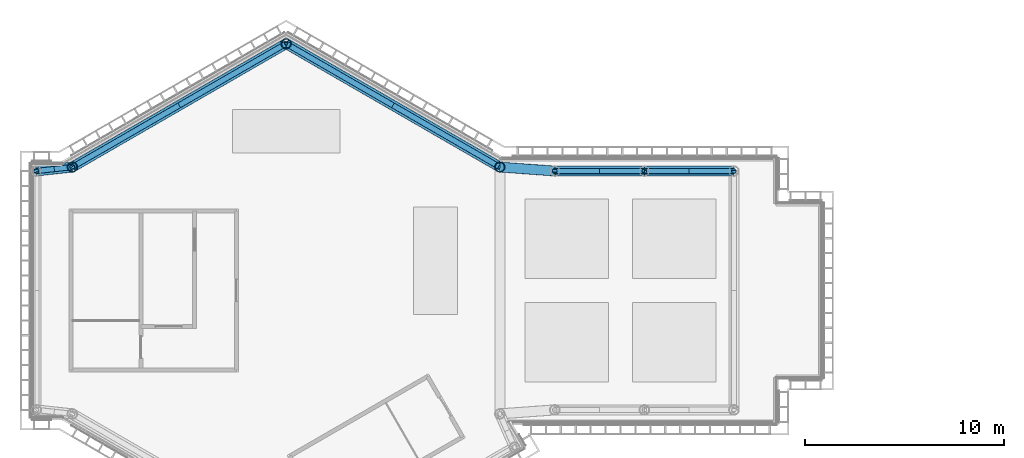
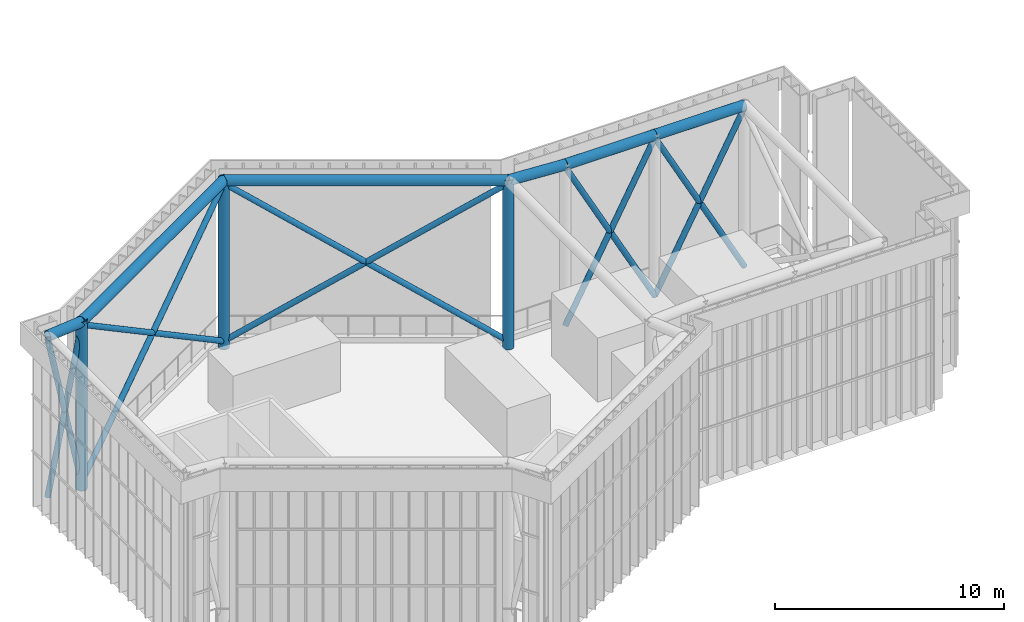
# One storey, part 5 of 17: 13 members, 6 beams.
"""IFC4 building model written with IfcOpenShell, lengths in metres."""

from ifc_helpers import new_model, si_unit, direction, frame, origin, origin_2d, place, context, subcontext, project, spatial, hollow_circle, extrude, material, material_profile, profile_set, type_object, element, save


model = new_model("IFC4")

# Units and contexts
model_context = context("Model", 3, precision=1e-05, world=origin(), true_north=direction((0.0, 1.0)))
body_context = subcontext(model_context, "Body", "Model", "MODEL_VIEW")
ifc_project = project(units=[si_unit("LENGTHUNIT", "METRE"), si_unit("AREAUNIT", "SQUARE_METRE"), si_unit("VOLUMEUNIT", "CUBIC_METRE"), si_unit("PLANEANGLEUNIT", "RADIAN"), si_unit("MASSUNIT", "GRAM", prefix="KILO")], contexts=[model_context])

# Site, building, storey
site_placement = place(None, origin())
site = spatial("IfcSite", under=ifc_project, at=site_placement, CompositionType="ELEMENT")
building_placement = place(site_placement, origin())
building = spatial("IfcBuilding", under=site, at=building_placement, Name="Upepo Twin Towers", CompositionType="ELEMENT")
storey_placement = place(building_placement, frame((0.0, 0.0, 296.5)))
storey = spatial("IfcBuildingStorey", under=building, at=storey_placement, Name="RF", CompositionType="ELEMENT", Elevation=296.5)

# Members
ifc_material_1 = material(Name="Steel S355", Category="steel")
ifc_material_profile_1 = material_profile(ifc_material_1, hollow_circle(Radius=0.136474609375, WallThickness=0.012451171875, at=origin_2d()), Name="CHS 273.0x12.5")
ifc_profile_set_1 = profile_set([ifc_material_profile_1], Name="Steel S355")
member_type_1 = type_object("IfcMemberType", Name="Crown frame brace CHS 273.0x12.5", PredefinedType="USERDEFINED", material=ifc_profile_set_1)
for number, where, z_axis, x_axis, name in (
    (1, (10.73876953125, 6.199951171875, 0.300048828125), (-0.717003976787, 0.413957077036, 0.560842968793), (-0.499995142677, -0.866028208143, 0.0), "T1 crown cross brace H0 to H1"),
    (2, (0.0, 12.39990234375, 0.300048828125), (0.717003976787, -0.413957077036, 0.560842968793), (0.499995142677, 0.866028208143, 0.0), "T1 crown cross brace H1 to H0"),
    (3, (0.0, 12.39990234375, 0.300048828125), (-0.717003976787, -0.413957077036, 0.560842968793), (0.499995142677, -0.866028208143, 0.0), "T1 crown cross brace H1 to H2"),
    (4, (-10.73876953125, 6.199951171875, 0.300048828125), (0.717003976787, 0.413957077036, 0.560842968793), (-0.499995142677, 0.866028208143, 0.0), "T1 crown cross brace H2 to H1"),
):
    element("IfcMember", number, at=place(storey_placement, frame(where, z_axis=z_axis, x_axis=x_axis)), inside=storey, type_object=member_type_1, Name=name, ObjectType="CROWN FRAME", PredefinedType="USERDEFINED", context=body_context, shape_type="SweptSolid", body=[
        extrude(hollow_circle(Radius=0.136474609375, WallThickness=0.012451171875, at=origin_2d()), origin(), (0.0, 0.0, 1.0), 14.977294921875),
    ])
for number, where, z_axis, x_axis, name in (
    (5, (-10.73876953125, 6.199951171875, 0.300048828125), (-0.211651762181, -0.023258123336, 0.977068365707), (0.109231103737, -0.994016381141, 0.0), "T1 crown cross brace H2 to E180a"),
    (6, (-12.558349609375, 6.0, 0.300048828125), (0.211651762181, 0.023258123336, 0.977068365707), (-0.109231103737, 0.994016381141, 0.0), "T1 crown cross brace E180a to H2"),
):
    element("IfcMember", number, at=place(storey_placement, frame(where, z_axis=z_axis, x_axis=x_axis)), inside=storey, type_object=member_type_1, Name=name, ObjectType="CROWN FRAME", PredefinedType="USERDEFINED", context=body_context, shape_type="SweptSolid", body=[
        extrude(hollow_circle(Radius=0.136474609375, WallThickness=0.012451171875, at=origin_2d()), origin(), (0.0, 0.0, 1.0), 8.59716796875),
    ])
for number, where, z_axis, x_axis, name in (
    (7, (13.5, 6.0, 0.300048828125), (0.472225678258, 0.0, 0.881477684796), (0.0, 1.0, 0.0), "T1 crown cross brace AL135 to AL180"),
    (8, (18.0, 6.0, 0.300048828125), (-0.472225678258, 0.0, 0.881477684796), (0.0, -1.0, 0.0), "T1 crown cross brace AL180 to AL135"),
    (9, (18.0, 6.0, 0.300048828125), (0.472225678258, 0.0, 0.881477684796), (0.0, 1.0, 0.0), "T1 crown cross brace AL180 to AL225"),
    (10, (22.5, 6.0, 0.300048828125), (-0.472225678258, 0.0, 0.881477684796), (0.0, -1.0, 0.0), "T1 crown cross brace AL225 to AL180"),
):
    element("IfcMember", number, at=place(storey_placement, frame(where, z_axis=z_axis, x_axis=x_axis)), inside=storey, type_object=member_type_1, Name=name, ObjectType="CROWN FRAME", PredefinedType="USERDEFINED", context=body_context, shape_type="SweptSolid", body=[
        extrude(hollow_circle(Radius=0.136474609375, WallThickness=0.012451171875, at=origin_2d()), origin(), (0.0, 0.0, 1.0), 9.529296875),
    ])
ifc_material_2 = material(Name="Steel S355", Category="steel")
ifc_material_profile_2 = material_profile(ifc_material_2, hollow_circle(Radius=0.25390625, WallThickness=0.02490234375, at=origin_2d()), Name="CHS 508.0x25.0")
ifc_profile_set_2 = profile_set([ifc_material_profile_2], Name="Steel S355")
member_type_2 = type_object("IfcMemberType", Name="Crown frame post CHS 508.0x25.0", PredefinedType="USERDEFINED", material=ifc_profile_set_2)
for number, where, z_axis, x_axis, name in (
    (11, (10.73876953125, 6.199951171875, 0.0), (0.0, 0.0, 1.0), (1.0, 0.0, 0.0), "T1 crown frame post H0"),
    (12, (0.0, 12.39990234375, 0.0), (0.0, 0.0, 1.0), (1.0, 0.0, 0.0), "T1 crown frame post H1"),
    (13, (-10.73876953125, 6.199951171875, 0.0), (0.0, 0.0, 1.0), (1.0, 0.0, 0.0), "T1 crown frame post H2"),
):
    element("IfcMember", number, at=place(storey_placement, frame(where, z_axis=z_axis, x_axis=x_axis)), inside=storey, type_object=member_type_2, Name=name, ObjectType="CROWN FRAME", PredefinedType="USERDEFINED", context=body_context, shape_type="SweptSolid", body=[
        extrude(hollow_circle(Radius=0.25390625, WallThickness=0.02490234375, at=origin_2d()), origin(), (0.0, 0.0, 1.0), 9.0),
    ])

# Beams
ifc_material_3 = material(Name="Steel S355", Category="steel")
ifc_material_profile_3 = material_profile(ifc_material_3, hollow_circle(Radius=0.25390625, WallThickness=0.02490234375, at=origin_2d()), Name="CHS 508.0x25.0")
ifc_profile_set_3 = profile_set([ifc_material_profile_3], Name="Steel S355")
beam_type = type_object("IfcBeamType", Name="Crown frame ring beam CHS 508.0x25.0", PredefinedType="USERDEFINED", material=ifc_profile_set_3)
for number, where, z_axis, x_axis, name in (
    (14, (10.73876953125, 6.199951171875, 8.85009765625), (-0.866028208143, 0.499995142677, 0.0), (-0.499995142677, -0.866028208143, 0.0), "T1 crown ring H0-H1"),
    (15, (0.0, 12.39990234375, 8.85009765625), (-0.866028208143, -0.499995142677, 0.0), (0.499995142677, -0.866028208143, 0.0), "T1 crown ring H1-H2"),
):
    element("IfcBeam", number, at=place(storey_placement, frame(where, z_axis=z_axis, x_axis=x_axis)), inside=storey, type_object=beam_type, Name=name, ObjectType="CROWN FRAME", PredefinedType="USERDEFINED", context=body_context, shape_type="SweptSolid", body=[
        extrude(hollow_circle(Radius=0.25390625, WallThickness=0.02490234375, at=origin_2d()), origin(), (0.0, 0.0, 1.0), 12.39990234375),
    ])
beam_1_placement = place(storey_placement, frame((-10.73876953125, 6.199951171875, 8.85009765625), z_axis=(-0.994016381141, -0.109231103737, 0.0), x_axis=(0.109231103737, -0.994016381141, 0.0)))
element("IfcBeam", 16, at=beam_1_placement, inside=storey, type_object=beam_type, Name="T1 crown ring H2-E180a", ObjectType="CROWN FRAME", PredefinedType="USERDEFINED", context=body_context, shape_type="SweptSolid", body=[
    extrude(hollow_circle(Radius=0.25390625, WallThickness=0.02490234375, at=origin_2d()), origin(), (0.0, 0.0, 1.0), 1.83056640625),
])
for number, where, z_axis, x_axis, name in (
    (17, (13.5, 6.0, 8.85009765625), (1.0, 0.0, 0.0), (0.0, 1.0, 0.0), "T1 crown ring AL135-AL180"),
    (18, (18.0, 6.0, 8.85009765625), (1.0, 0.0, 0.0), (0.0, 1.0, 0.0), "T1 crown ring AL180-AL225"),
):
    element("IfcBeam", number, at=place(storey_placement, frame(where, z_axis=z_axis, x_axis=x_axis)), inside=storey, type_object=beam_type, Name=name, ObjectType="CROWN FRAME", PredefinedType="USERDEFINED", context=body_context, shape_type="SweptSolid", body=[
        extrude(hollow_circle(Radius=0.25390625, WallThickness=0.02490234375, at=origin_2d()), origin(), (0.0, 0.0, 1.0), 4.5),
    ])
beam_2_placement = place(storey_placement, frame((10.73876953125, 6.199951171875, 8.85009765625), z_axis=(0.997388387803, -0.072224676358, 0.0), x_axis=(0.072224676358, 0.997388387803, 0.0)))
element("IfcBeam", 19, at=beam_2_placement, inside=storey, type_object=beam_type, Name="T1 crown ring H0-AL135", ObjectType="CROWN FRAME", PredefinedType="USERDEFINED", context=body_context, shape_type="SweptSolid", body=[
    extrude(hollow_circle(Radius=0.25390625, WallThickness=0.02490234375, at=origin_2d()), origin(), (0.0, 0.0, 1.0), 2.7685546875),
])

save(model, "model.ifc")
